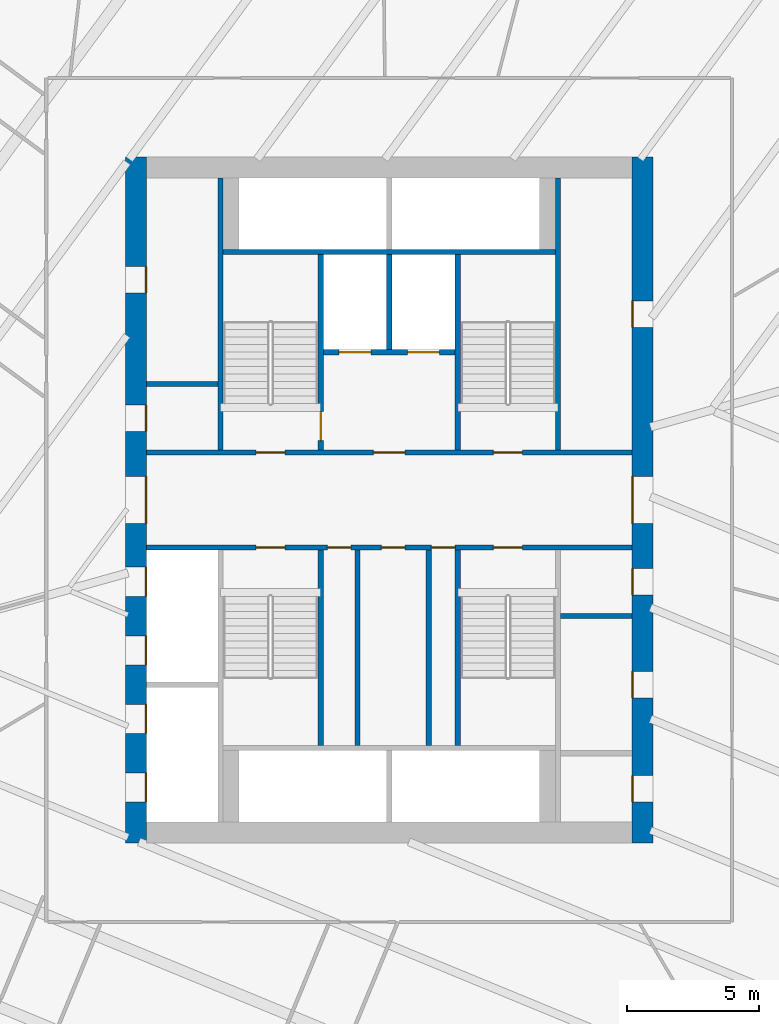
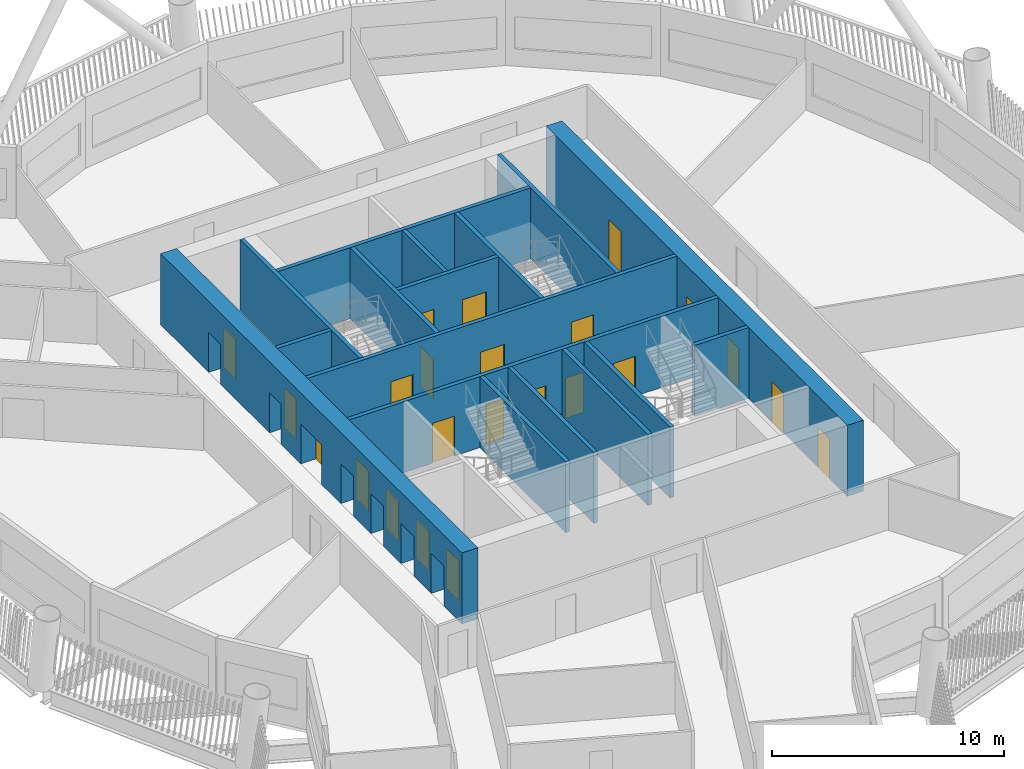
# One storey, part 5 of 23: 23 doors, 17 walls, 23 openings.
"""IFC4 building model written with IfcOpenShell, lengths in metres."""

from ifc_helpers import new_model, si_unit, direction, frame, frame_2d, origin, place, context, subcontext, project, spatial, rectangle, extrude, material, layer, layer_set, type_object, element, fill, save


model = new_model("IFC4")

# Units and contexts
model_context = context("Model", 3, precision=1e-05, world=origin(), true_north=direction((0.0, 1.0)))
body_context = subcontext(model_context, "Body", "Model", "MODEL_VIEW")
ifc_project = project(units=[si_unit("LENGTHUNIT", "METRE"), si_unit("AREAUNIT", "SQUARE_METRE"), si_unit("VOLUMEUNIT", "CUBIC_METRE"), si_unit("PLANEANGLEUNIT", "RADIAN"), si_unit("MASSUNIT", "GRAM", prefix="KILO")], contexts=[model_context])

# Site, building, storey
site_placement = place(None, origin())
site = spatial("IfcSite", under=ifc_project, at=site_placement, CompositionType="ELEMENT")
building_placement = place(site_placement, origin())
building = spatial("IfcBuilding", under=site, at=building_placement, Name="Tarsis Ring Headquarters", CompositionType="ELEMENT")
storey_placement = place(building_placement, frame((0.0, 0.0, 124.0)))
storey = spatial("IfcBuildingStorey", under=building, at=storey_placement, Name="L28", CompositionType="ELEMENT", Elevation=124.0)

# Walls
ifc_material_1 = material(Name="Blockwork", Category="masonry")
ifc_layer_1 = layer(ifc_material_1, 0.199951171875)
ifc_layer_set_1 = layer_set([ifc_layer_1], Name="Core blockwork wall 200")
wall_type_1 = type_object("IfcWallType", Name="Core blockwork wall 200", PredefinedType="PARTITIONING", material=ifc_layer_set_1)
for number, where, z_axis, x_axis, name in (
    (1, (-9.199951171875, 4.39990234375, 0.0), (0.0, 0.0, 1.0), (1.0, 0.0, 0.0), "Core partition WD5"),
    (2, (6.5, -4.39990234375, 0.0), (0.0, 0.0, 1.0), (1.0, 0.0, 0.0), "Core partition ED3"),
):
    element("IfcWall", number, at=place(storey_placement, frame(where, z_axis=z_axis, x_axis=x_axis)), inside=storey, type_object=wall_type_1, Name=name, PredefinedType="PARTITIONING", context=body_context, shape_type="SweptSolid", body=[
        extrude(rectangle(XDim=2.699951171875, YDim=0.199951171875, at=frame_2d((1.35009765625, 0.0))), origin(), (0.0, 0.0, 1.0), 3.739990234375),
    ])
for number, where, z_axis, x_axis, name in (
    (3, (-1.199951171875, -9.300048828125, 0.0), (0.0, 0.0, 1.0), (0.0, 1.0, 0.0), "Core partition SV1"),
    (4, (1.5, -9.300048828125, 0.0), (0.0, 0.0, 1.0), (0.0, 1.0, 0.0), "Core partition SV2"),
):
    element("IfcWall", number, at=place(storey_placement, frame(where, z_axis=z_axis, x_axis=x_axis)), inside=storey, type_object=wall_type_1, Name=name, PredefinedType="PARTITIONING", context=body_context, shape_type="SweptSolid", body=[
        extrude(rectangle(XDim=7.400146484375, YDim=0.199951171875, at=frame_2d((3.7001953125, 0.0))), origin(), (0.0, 0.0, 1.0), 3.739990234375),
    ])

# Wall, openings, doors
ifc_material_2 = material(Name="Concrete C60/75", Category="concrete")
ifc_layer_2 = layer(ifc_material_2, 0.800048828125)
ifc_layer_set_2 = layer_set([ifc_layer_2], Name="Core wall 800 C60/75")
wall_type_2 = type_object("IfcWallType", Name="Core wall 800 C60/75", PredefinedType="SHEAR", material=ifc_layer_set_2)
wall_1_placement = place(storey_placement, frame((-9.60009765625, -13.0, 0.0), z_axis=(0.0, 0.0, 1.0), x_axis=(0.0, 1.0, 0.0)))
wall_1 = element("IfcWall", 5, at=wall_1_placement, inside=storey, type_object=wall_type_2, Name="Core wall OW", PredefinedType="SHEAR", context=body_context, shape_type="SweptSolid", body=[
    extrude(rectangle(XDim=26.0, YDim=0.800048828125, at=frame_2d((13.0, 0.0))), origin(), (0.0, 0.0, 1.0), 3.739990234375),
])
opening_1_placement = place(wall_1_placement, frame((1.550048828125, 0.0, 0.0)))
opening_1 = element("IfcOpeningElement", 6, at=opening_1_placement, cuts=wall_1, Name="Opening LD-LR1", PredefinedType="OPENING", context=body_context, shape_type="SweptSolid", body=[
    extrude(rectangle(XDim=1.10009765625, YDim=2.10009765625, at=frame_2d((0.550048828125, 1.050048828125))), frame((0.0, 0.409912109375, 0.0), z_axis=(0.0, -1.0, 0.0), x_axis=(1.0, 0.0, 0.0)), (0.0, 0.0, 1.0), 0.820068359375),
])
opening_2_placement = place(wall_1_placement, frame((4.14990234375, 0.0, 0.0)))
opening_2 = element("IfcOpeningElement", 7, at=opening_2_placement, cuts=wall_1, Name="Opening LD-LR2", PredefinedType="OPENING", context=body_context, shape_type="SweptSolid", body=[
    extrude(rectangle(XDim=1.10009765625, YDim=2.10009765625, at=frame_2d((0.550048828125, 1.050048828125))), frame((0.0, 0.409912109375, 0.0), z_axis=(0.0, -1.0, 0.0), x_axis=(1.0, 0.0, 0.0)), (0.0, 0.0, 1.0), 0.820068359375),
])
opening_3_placement = place(wall_1_placement, frame((6.75, 0.0, 0.0)))
opening_3 = element("IfcOpeningElement", 8, at=opening_3_placement, cuts=wall_1, Name="Opening LD-LR3", PredefinedType="OPENING", context=body_context, shape_type="SweptSolid", body=[
    extrude(rectangle(XDim=1.10009765625, YDim=2.10009765625, at=frame_2d((0.550048828125, 1.050048828125))), frame((0.0, 0.409912109375, 0.0), z_axis=(0.0, -1.0, 0.0), x_axis=(1.0, 0.0, 0.0)), (0.0, 0.0, 1.0), 0.820068359375),
])
opening_4_placement = place(wall_1_placement, frame((9.35009765625, 0.0, 0.0)))
opening_4 = element("IfcOpeningElement", 9, at=opening_4_placement, cuts=wall_1, Name="Opening LD-LR4", PredefinedType="OPENING", context=body_context, shape_type="SweptSolid", body=[
    extrude(rectangle(XDim=1.10009765625, YDim=2.10009765625, at=frame_2d((0.550048828125, 1.050048828125))), frame((0.0, 0.409912109375, 0.0), z_axis=(0.0, -1.0, 0.0), x_axis=(1.0, 0.0, 0.0)), (0.0, 0.0, 1.0), 0.820068359375),
])
opening_5_placement = place(wall_1_placement, frame((12.10009765625, 0.0, 0.0)))
opening_5 = element("IfcOpeningElement", 10, at=opening_5_placement, cuts=wall_1, Name="Opening L28-C05", PredefinedType="OPENING", context=body_context, shape_type="SweptSolid", body=[
    extrude(rectangle(XDim=1.800048828125, YDim=2.10009765625, at=frame_2d((0.89990234375, 1.050048828125))), frame((0.0, 0.409912109375, 0.0), z_axis=(0.0, -1.0, 0.0), x_axis=(1.0, 0.0, 0.0)), (0.0, 0.0, 1.0), 0.820068359375),
])
opening_6_placement = place(wall_1_placement, frame((15.60009765625, 0.0, 0.0)))
opening_6 = element("IfcOpeningElement", 11, at=opening_6_placement, cuts=wall_1, Name="Opening L28-C06", PredefinedType="OPENING", context=body_context, shape_type="SweptSolid", body=[
    extrude(rectangle(XDim=1.0, YDim=2.10009765625, at=frame_2d((0.5, 1.050048828125))), frame((0.0, 0.409912109375, 0.0), z_axis=(0.0, -1.0, 0.0), x_axis=(1.0, 0.0, 0.0)), (0.0, 0.0, 1.0), 0.820068359375),
])
opening_7_placement = place(wall_1_placement, frame((20.85009765625, 0.0, 0.0)))
opening_7 = element("IfcOpeningElement", 12, at=opening_7_placement, cuts=wall_1, Name="Opening L28-C07", PredefinedType="OPENING", context=body_context, shape_type="SweptSolid", body=[
    extrude(rectangle(XDim=1.0, YDim=2.10009765625, at=frame_2d((0.5, 1.050048828125))), frame((0.0, 0.409912109375, 0.0), z_axis=(0.0, -1.0, 0.0), x_axis=(1.0, 0.0, 0.0)), (0.0, 0.0, 1.0), 0.820068359375),
])
ifc_material_3 = material(Name="Steel S355", Category="steel")
door_type_1 = type_object("IfcDoorType", Name="Core entry door 1800x2100", OperationType="DOUBLE_DOOR_SINGLE_SWING", PredefinedType="DOOR", material=ifc_material_3)
door_1_placement = place(opening_5_placement, origin())
door_1 = element("IfcDoor", 13, at=door_1_placement, inside=storey, type_object=door_type_1, Name="Core entry door L28", OperationType="DOUBLE_DOOR_SINGLE_SWING", OverallHeight=2.10009765625, OverallWidth=1.800048828125, PredefinedType="DOOR", context=body_context, shape_type="SweptSolid", body=[
    extrude(rectangle(XDim=1.800048828125, YDim=2.10009765625, at=frame_2d((0.89990234375, 1.050048828125))), frame((0.0, -0.35009765625, 0.0), z_axis=(0.0, -1.0, 0.0), x_axis=(1.0, 0.0, 0.0)), (0.0, 0.0, 1.0), 0.050048828125),
])
fill(opening_5, door_1)
door_type_2 = type_object("IfcDoorType", Name="Core room door 1000x2100", OperationType="SINGLE_SWING_LEFT", PredefinedType="DOOR", material=ifc_material_3)
door_2_placement = place(opening_6_placement, origin())
door_2 = element("IfcDoor", 14, at=door_2_placement, inside=storey, type_object=door_type_2, Name="Core room door L28", OperationType="SINGLE_SWING_LEFT", OverallHeight=2.10009765625, OverallWidth=1.0, PredefinedType="DOOR", context=body_context, shape_type="SweptSolid", body=[
    extrude(rectangle(XDim=1.0, YDim=2.10009765625, at=frame_2d((0.5, 1.050048828125))), frame((0.0, -0.35009765625, 0.0), z_axis=(0.0, -1.0, 0.0), x_axis=(1.0, 0.0, 0.0)), (0.0, 0.0, 1.0), 0.050048828125),
])
fill(opening_6, door_2)
door_3_placement = place(opening_7_placement, origin())
door_3 = element("IfcDoor", 15, at=door_3_placement, inside=storey, type_object=door_type_2, Name="Core room door L28", OperationType="SINGLE_SWING_LEFT", OverallHeight=2.10009765625, OverallWidth=1.0, PredefinedType="DOOR", context=body_context, shape_type="SweptSolid", body=[
    extrude(rectangle(XDim=1.0, YDim=2.10009765625, at=frame_2d((0.5, 1.050048828125))), frame((0.0, -0.35009765625, 0.0), z_axis=(0.0, -1.0, 0.0), x_axis=(1.0, 0.0, 0.0)), (0.0, 0.0, 1.0), 0.050048828125),
])
fill(opening_7, door_3)
door_type_3 = type_object("IfcDoorType", Name="Landing door 1100x2100", OperationType="SLIDING_TO_LEFT", PredefinedType="DOOR", material=ifc_material_3)
door_4_placement = place(opening_1_placement, origin())
door_4 = element("IfcDoor", 16, at=door_4_placement, inside=storey, type_object=door_type_3, Name="Landing door LR1 L28", OperationType="SLIDING_TO_LEFT", OverallHeight=2.10009765625, OverallWidth=1.10009765625, PredefinedType="DOOR", context=body_context, shape_type="SweptSolid", body=[
    extrude(rectangle(XDim=1.10009765625, YDim=2.10009765625, at=frame_2d((0.550048828125, 1.050048828125))), frame((0.0, -0.35009765625, 0.0), z_axis=(0.0, -1.0, 0.0), x_axis=(1.0, 0.0, 0.0)), (0.0, 0.0, 1.0), 0.050048828125),
])
fill(opening_1, door_4)
door_5_placement = place(opening_2_placement, origin())
door_5 = element("IfcDoor", 17, at=door_5_placement, inside=storey, type_object=door_type_3, Name="Landing door LR2 L28", OperationType="SLIDING_TO_LEFT", OverallHeight=2.10009765625, OverallWidth=1.10009765625, PredefinedType="DOOR", context=body_context, shape_type="SweptSolid", body=[
    extrude(rectangle(XDim=1.10009765625, YDim=2.10009765625, at=frame_2d((0.550048828125, 1.050048828125))), frame((0.0, -0.35009765625, 0.0), z_axis=(0.0, -1.0, 0.0), x_axis=(1.0, 0.0, 0.0)), (0.0, 0.0, 1.0), 0.050048828125),
])
fill(opening_2, door_5)
door_6_placement = place(opening_3_placement, origin())
door_6 = element("IfcDoor", 18, at=door_6_placement, inside=storey, type_object=door_type_3, Name="Landing door LR3 L28", OperationType="SLIDING_TO_LEFT", OverallHeight=2.10009765625, OverallWidth=1.10009765625, PredefinedType="DOOR", context=body_context, shape_type="SweptSolid", body=[
    extrude(rectangle(XDim=1.10009765625, YDim=2.10009765625, at=frame_2d((0.550048828125, 1.050048828125))), frame((0.0, -0.35009765625, 0.0), z_axis=(0.0, -1.0, 0.0), x_axis=(1.0, 0.0, 0.0)), (0.0, 0.0, 1.0), 0.050048828125),
])
fill(opening_3, door_6)
door_7_placement = place(opening_4_placement, origin())
door_7 = element("IfcDoor", 19, at=door_7_placement, inside=storey, type_object=door_type_3, Name="Landing door LR4 L28", OperationType="SLIDING_TO_LEFT", OverallHeight=2.10009765625, OverallWidth=1.10009765625, PredefinedType="DOOR", context=body_context, shape_type="SweptSolid", body=[
    extrude(rectangle(XDim=1.10009765625, YDim=2.10009765625, at=frame_2d((0.550048828125, 1.050048828125))), frame((0.0, -0.35009765625, 0.0), z_axis=(0.0, -1.0, 0.0), x_axis=(1.0, 0.0, 0.0)), (0.0, 0.0, 1.0), 0.050048828125),
])
fill(opening_4, door_7)

wall_2_placement = place(storey_placement, frame((9.60009765625, -13.0, 0.0), z_axis=(0.0, 0.0, 1.0), x_axis=(0.0, 1.0, 0.0)))
wall_2 = element("IfcWall", 20, at=wall_2_placement, inside=storey, type_object=wall_type_2, Name="Core wall OE", PredefinedType="SHEAR", context=body_context, shape_type="SweptSolid", body=[
    extrude(rectangle(XDim=26.0, YDim=0.800048828125, at=frame_2d((13.0, 0.0))), origin(), (0.0, 0.0, 1.0), 3.739990234375),
])
opening_8_placement = place(wall_2_placement, frame((1.550048828125, 0.0, 0.0)))
opening_8 = element("IfcOpeningElement", 21, at=opening_8_placement, cuts=wall_2, Name="Opening L28-C08", PredefinedType="OPENING", context=body_context, shape_type="SweptSolid", body=[
    extrude(rectangle(XDim=1.0, YDim=2.10009765625, at=frame_2d((0.5, 1.050048828125))), frame((0.0, 0.409912109375, 0.0), z_axis=(0.0, -1.0, 0.0), x_axis=(1.0, 0.0, 0.0)), (0.0, 0.0, 1.0), 0.820068359375),
])
opening_9_placement = place(wall_2_placement, frame((5.5, 0.0, 0.0)))
opening_9 = element("IfcOpeningElement", 22, at=opening_9_placement, cuts=wall_2, Name="Opening L28-C09", PredefinedType="OPENING", context=body_context, shape_type="SweptSolid", body=[
    extrude(rectangle(XDim=1.0, YDim=2.10009765625, at=frame_2d((0.5, 1.050048828125))), frame((0.0, 0.409912109375, 0.0), z_axis=(0.0, -1.0, 0.0), x_axis=(1.0, 0.0, 0.0)), (0.0, 0.0, 1.0), 0.820068359375),
])
opening_10_placement = place(wall_2_placement, frame((9.39990234375, 0.0, 0.0)))
opening_10 = element("IfcOpeningElement", 23, at=opening_10_placement, cuts=wall_2, Name="Opening L28-C10", PredefinedType="OPENING", context=body_context, shape_type="SweptSolid", body=[
    extrude(rectangle(XDim=1.0, YDim=2.10009765625, at=frame_2d((0.5, 1.050048828125))), frame((0.0, 0.409912109375, 0.0), z_axis=(0.0, -1.0, 0.0), x_axis=(1.0, 0.0, 0.0)), (0.0, 0.0, 1.0), 0.820068359375),
])
opening_11_placement = place(wall_2_placement, frame((12.10009765625, 0.0, 0.0)))
opening_11 = element("IfcOpeningElement", 24, at=opening_11_placement, cuts=wall_2, Name="Opening L28-C11", PredefinedType="OPENING", context=body_context, shape_type="SweptSolid", body=[
    extrude(rectangle(XDim=1.800048828125, YDim=2.10009765625, at=frame_2d((0.89990234375, 1.050048828125))), frame((0.0, 0.409912109375, 0.0), z_axis=(0.0, -1.0, 0.0), x_axis=(1.0, 0.0, 0.0)), (0.0, 0.0, 1.0), 0.820068359375),
])
opening_12_placement = place(wall_2_placement, frame((19.550048828125, 0.0, 0.0)))
opening_12 = element("IfcOpeningElement", 25, at=opening_12_placement, cuts=wall_2, Name="Opening L28-C12", PredefinedType="OPENING", context=body_context, shape_type="SweptSolid", body=[
    extrude(rectangle(XDim=1.0, YDim=2.10009765625, at=frame_2d((0.5, 1.050048828125))), frame((0.0, 0.409912109375, 0.0), z_axis=(0.0, -1.0, 0.0), x_axis=(1.0, 0.0, 0.0)), (0.0, 0.0, 1.0), 0.820068359375),
])
door_8_placement = place(opening_11_placement, origin())
door_8 = element("IfcDoor", 26, at=door_8_placement, inside=storey, type_object=door_type_1, Name="Core entry door L28", OperationType="DOUBLE_DOOR_SINGLE_SWING", OverallHeight=2.10009765625, OverallWidth=1.800048828125, PredefinedType="DOOR", context=body_context, shape_type="SweptSolid", body=[
    extrude(rectangle(XDim=1.800048828125, YDim=2.10009765625, at=frame_2d((0.89990234375, 1.050048828125))), frame((0.0, 0.39990234375, 0.0), z_axis=(0.0, -1.0, 0.0), x_axis=(1.0, 0.0, 0.0)), (0.0, 0.0, 1.0), 0.050048828125),
])
fill(opening_11, door_8)
door_9_placement = place(opening_8_placement, origin())
door_9 = element("IfcDoor", 27, at=door_9_placement, inside=storey, type_object=door_type_2, Name="Core room door L28", OperationType="SINGLE_SWING_LEFT", OverallHeight=2.10009765625, OverallWidth=1.0, PredefinedType="DOOR", context=body_context, shape_type="SweptSolid", body=[
    extrude(rectangle(XDim=1.0, YDim=2.10009765625, at=frame_2d((0.5, 1.050048828125))), frame((0.0, 0.39990234375, 0.0), z_axis=(0.0, -1.0, 0.0), x_axis=(1.0, 0.0, 0.0)), (0.0, 0.0, 1.0), 0.050048828125),
])
fill(opening_8, door_9)
door_10_placement = place(opening_9_placement, origin())
door_10 = element("IfcDoor", 28, at=door_10_placement, inside=storey, type_object=door_type_2, Name="Core room door L28", OperationType="SINGLE_SWING_LEFT", OverallHeight=2.10009765625, OverallWidth=1.0, PredefinedType="DOOR", context=body_context, shape_type="SweptSolid", body=[
    extrude(rectangle(XDim=1.0, YDim=2.10009765625, at=frame_2d((0.5, 1.050048828125))), frame((0.0, 0.39990234375, 0.0), z_axis=(0.0, -1.0, 0.0), x_axis=(1.0, 0.0, 0.0)), (0.0, 0.0, 1.0), 0.050048828125),
])
fill(opening_9, door_10)
door_11_placement = place(opening_10_placement, origin())
door_11 = element("IfcDoor", 29, at=door_11_placement, inside=storey, type_object=door_type_2, Name="Core room door L28", OperationType="SINGLE_SWING_LEFT", OverallHeight=2.10009765625, OverallWidth=1.0, PredefinedType="DOOR", context=body_context, shape_type="SweptSolid", body=[
    extrude(rectangle(XDim=1.0, YDim=2.10009765625, at=frame_2d((0.5, 1.050048828125))), frame((0.0, 0.39990234375, 0.0), z_axis=(0.0, -1.0, 0.0), x_axis=(1.0, 0.0, 0.0)), (0.0, 0.0, 1.0), 0.050048828125),
])
fill(opening_10, door_11)
door_12_placement = place(opening_12_placement, origin())
door_12 = element("IfcDoor", 30, at=door_12_placement, inside=storey, type_object=door_type_2, Name="Core room door L28", OperationType="SINGLE_SWING_LEFT", OverallHeight=2.10009765625, OverallWidth=1.0, PredefinedType="DOOR", context=body_context, shape_type="SweptSolid", body=[
    extrude(rectangle(XDim=1.0, YDim=2.10009765625, at=frame_2d((0.5, 1.050048828125))), frame((0.0, 0.39990234375, 0.0), z_axis=(0.0, -1.0, 0.0), x_axis=(1.0, 0.0, 0.0)), (0.0, 0.0, 1.0), 0.050048828125),
])
fill(opening_12, door_12)

ifc_material_4 = material(Name="Concrete C32/40", Category="concrete")
ifc_layer_3 = layer(ifc_material_4, 0.199951171875)
ifc_layer_set_3 = layer_set([ifc_layer_3], Name="Shaft wall 200 C32/40")
wall_type_3 = type_object("IfcWallType", Name="Shaft wall 200 C32/40", PredefinedType="SOLIDWALL", material=ifc_layer_set_3)
wall_3_placement = place(storey_placement, frame((-9.199951171875, 1.800048828125, 0.0), z_axis=(0.0, 0.0, 1.0), x_axis=(1.0, 0.0, 0.0)))
wall_3 = element("IfcWall", 31, at=wall_3_placement, inside=storey, type_object=wall_type_3, Name="Core shaft wall CN", PredefinedType="SOLIDWALL", context=body_context, shape_type="SweptSolid", body=[
    extrude(rectangle(XDim=18.39990234375, YDim=0.199951171875, at=frame_2d((9.199951171875, 0.0))), origin(), (0.0, 0.0, 1.0), 3.739990234375),
])
opening_13_placement = place(wall_3_placement, frame((4.14990234375, 0.0, 0.0)))
opening_13 = element("IfcOpeningElement", 32, at=opening_13_placement, cuts=wall_3, Name="Opening L28-C13", PredefinedType="OPENING", context=body_context, shape_type="SweptSolid", body=[
    extrude(rectangle(XDim=1.10009765625, YDim=2.10009765625, at=frame_2d((0.550048828125, 1.050048828125))), frame((0.0, 0.10986328125, 0.0), z_axis=(0.0, -1.0, 0.0), x_axis=(1.0, 0.0, 0.0)), (0.0, 0.0, 1.0), 0.219970703125),
])
opening_14_placement = place(wall_3_placement, frame((8.60009765625, 0.0, 0.0)))
opening_14 = element("IfcOpeningElement", 33, at=opening_14_placement, cuts=wall_3, Name="Opening L28-C14", PredefinedType="OPENING", context=body_context, shape_type="SweptSolid", body=[
    extrude(rectangle(XDim=1.199951171875, YDim=2.10009765625, at=frame_2d((0.60009765625, 1.050048828125))), frame((0.0, 0.10986328125, 0.0), z_axis=(0.0, -1.0, 0.0), x_axis=(1.0, 0.0, 0.0)), (0.0, 0.0, 1.0), 0.219970703125),
])
opening_15_placement = place(wall_3_placement, frame((13.14990234375, 0.0, 0.0)))
opening_15 = element("IfcOpeningElement", 34, at=opening_15_placement, cuts=wall_3, Name="Opening L28-C15", PredefinedType="OPENING", context=body_context, shape_type="SweptSolid", body=[
    extrude(rectangle(XDim=1.10009765625, YDim=2.10009765625, at=frame_2d((0.550048828125, 1.050048828125))), frame((0.0, 0.10986328125, 0.0), z_axis=(0.0, -1.0, 0.0), x_axis=(1.0, 0.0, 0.0)), (0.0, 0.0, 1.0), 0.219970703125),
])
door_type_4 = type_object("IfcDoorType", Name="Firefighting lobby door 1200x2100", OperationType="DOUBLE_DOOR_SINGLE_SWING", PredefinedType="DOOR", material=ifc_material_3)
door_13_placement = place(opening_14_placement, origin())
door_13 = element("IfcDoor", 35, at=door_13_placement, inside=storey, type_object=door_type_4, Name="Firefighting lobby door L28", OperationType="DOUBLE_DOOR_SINGLE_SWING", OverallHeight=2.10009765625, OverallWidth=1.199951171875, PredefinedType="DOOR", context=body_context, shape_type="SweptSolid", body=[
    extrude(rectangle(XDim=1.199951171875, YDim=2.10009765625, at=frame_2d((0.60009765625, 1.050048828125))), frame((0.0, 0.02490234375, 0.0), z_axis=(0.0, -1.0, 0.0), x_axis=(1.0, 0.0, 0.0)), (0.0, 0.0, 1.0), 0.050048828125),
])
fill(opening_14, door_13)
door_type_5 = type_object("IfcDoorType", Name="Stair door 1100x2100", OperationType="SINGLE_SWING_LEFT", PredefinedType="DOOR", material=ifc_material_3)
door_14_placement = place(opening_13_placement, origin())
door_14 = element("IfcDoor", 36, at=door_14_placement, inside=storey, type_object=door_type_5, Name="Stair door L28", OperationType="SINGLE_SWING_LEFT", OverallHeight=2.10009765625, OverallWidth=1.10009765625, PredefinedType="DOOR", context=body_context, shape_type="SweptSolid", body=[
    extrude(rectangle(XDim=1.10009765625, YDim=2.10009765625, at=frame_2d((0.550048828125, 1.050048828125))), frame((0.0, 0.02490234375, 0.0), z_axis=(0.0, -1.0, 0.0), x_axis=(1.0, 0.0, 0.0)), (0.0, 0.0, 1.0), 0.050048828125),
])
fill(opening_13, door_14)
door_15_placement = place(opening_15_placement, origin())
door_15 = element("IfcDoor", 37, at=door_15_placement, inside=storey, type_object=door_type_5, Name="Stair door L28", OperationType="SINGLE_SWING_LEFT", OverallHeight=2.10009765625, OverallWidth=1.10009765625, PredefinedType="DOOR", context=body_context, shape_type="SweptSolid", body=[
    extrude(rectangle(XDim=1.10009765625, YDim=2.10009765625, at=frame_2d((0.550048828125, 1.050048828125))), frame((0.0, 0.02490234375, 0.0), z_axis=(0.0, -1.0, 0.0), x_axis=(1.0, 0.0, 0.0)), (0.0, 0.0, 1.0), 0.050048828125),
])
fill(opening_15, door_15)

wall_4_placement = place(storey_placement, frame((-9.199951171875, -1.800048828125, 0.0), z_axis=(0.0, 0.0, 1.0), x_axis=(1.0, 0.0, 0.0)))
wall_4 = element("IfcWall", 38, at=wall_4_placement, inside=storey, type_object=wall_type_3, Name="Core shaft wall CS", PredefinedType="SOLIDWALL", context=body_context, shape_type="SweptSolid", body=[
    extrude(rectangle(XDim=18.39990234375, YDim=0.199951171875, at=frame_2d((9.199951171875, 0.0))), origin(), (0.0, 0.0, 1.0), 3.739990234375),
])
opening_16_placement = place(wall_4_placement, frame((4.14990234375, 0.0, 0.0)))
opening_16 = element("IfcOpeningElement", 39, at=opening_16_placement, cuts=wall_4, Name="Opening L28-C16", PredefinedType="OPENING", context=body_context, shape_type="SweptSolid", body=[
    extrude(rectangle(XDim=1.10009765625, YDim=2.10009765625, at=frame_2d((0.550048828125, 1.050048828125))), frame((0.0, 0.10986328125, 0.0), z_axis=(0.0, -1.0, 0.0), x_axis=(1.0, 0.0, 0.0)), (0.0, 0.0, 1.0), 0.219970703125),
])
opening_17_placement = place(wall_4_placement, frame((6.85009765625, 0.0, 0.0)))
opening_17 = element("IfcOpeningElement", 40, at=opening_17_placement, cuts=wall_4, Name="Opening L28-C17", PredefinedType="OPENING", context=body_context, shape_type="SweptSolid", body=[
    extrude(rectangle(XDim=0.89990234375, YDim=2.10009765625, at=frame_2d((0.449951171875, 1.050048828125))), frame((0.0, 0.10986328125, 0.0), z_axis=(0.0, -1.0, 0.0), x_axis=(1.0, 0.0, 0.0)), (0.0, 0.0, 1.0), 0.219970703125),
])
opening_18_placement = place(wall_4_placement, frame((8.89990234375, 0.0, 0.0)))
opening_18 = element("IfcOpeningElement", 41, at=opening_18_placement, cuts=wall_4, Name="Opening L28-C18", PredefinedType="OPENING", context=body_context, shape_type="SweptSolid", body=[
    extrude(rectangle(XDim=0.89990234375, YDim=2.10009765625, at=frame_2d((0.449951171875, 1.050048828125))), frame((0.0, 0.10986328125, 0.0), z_axis=(0.0, -1.0, 0.0), x_axis=(1.0, 0.0, 0.0)), (0.0, 0.0, 1.0), 0.219970703125),
])
opening_19_placement = place(wall_4_placement, frame((10.800048828125, 0.0, 0.0)))
opening_19 = element("IfcOpeningElement", 42, at=opening_19_placement, cuts=wall_4, Name="Opening L28-C19", PredefinedType="OPENING", context=body_context, shape_type="SweptSolid", body=[
    extrude(rectangle(XDim=0.89990234375, YDim=2.10009765625, at=frame_2d((0.449951171875, 1.050048828125))), frame((0.0, 0.10986328125, 0.0), z_axis=(0.0, -1.0, 0.0), x_axis=(1.0, 0.0, 0.0)), (0.0, 0.0, 1.0), 0.219970703125),
])
opening_20_placement = place(wall_4_placement, frame((13.14990234375, 0.0, 0.0)))
opening_20 = element("IfcOpeningElement", 43, at=opening_20_placement, cuts=wall_4, Name="Opening L28-C20", PredefinedType="OPENING", context=body_context, shape_type="SweptSolid", body=[
    extrude(rectangle(XDim=1.10009765625, YDim=2.10009765625, at=frame_2d((0.550048828125, 1.050048828125))), frame((0.0, 0.10986328125, 0.0), z_axis=(0.0, -1.0, 0.0), x_axis=(1.0, 0.0, 0.0)), (0.0, 0.0, 1.0), 0.219970703125),
])
door_16_placement = place(opening_16_placement, origin())
door_16 = element("IfcDoor", 44, at=door_16_placement, inside=storey, type_object=door_type_5, Name="Stair door L28", OperationType="SINGLE_SWING_LEFT", OverallHeight=2.10009765625, OverallWidth=1.10009765625, PredefinedType="DOOR", context=body_context, shape_type="SweptSolid", body=[
    extrude(rectangle(XDim=1.10009765625, YDim=2.10009765625, at=frame_2d((0.550048828125, 1.050048828125))), frame((0.0, 0.02490234375, 0.0), z_axis=(0.0, -1.0, 0.0), x_axis=(1.0, 0.0, 0.0)), (0.0, 0.0, 1.0), 0.050048828125),
])
fill(opening_16, door_16)
door_17_placement = place(opening_20_placement, origin())
door_17 = element("IfcDoor", 45, at=door_17_placement, inside=storey, type_object=door_type_5, Name="Stair door L28", OperationType="SINGLE_SWING_LEFT", OverallHeight=2.10009765625, OverallWidth=1.10009765625, PredefinedType="DOOR", context=body_context, shape_type="SweptSolid", body=[
    extrude(rectangle(XDim=1.10009765625, YDim=2.10009765625, at=frame_2d((0.550048828125, 1.050048828125))), frame((0.0, 0.02490234375, 0.0), z_axis=(0.0, -1.0, 0.0), x_axis=(1.0, 0.0, 0.0)), (0.0, 0.0, 1.0), 0.050048828125),
])
fill(opening_20, door_17)
door_type_6 = type_object("IfcDoorType", Name="WC door 900x2100", OperationType="SINGLE_SWING_LEFT", PredefinedType="DOOR", material=ifc_material_3)
door_18_placement = place(opening_17_placement, origin())
door_18 = element("IfcDoor", 46, at=door_18_placement, inside=storey, type_object=door_type_6, Name="WC door L28", OperationType="SINGLE_SWING_LEFT", OverallHeight=2.10009765625, OverallWidth=0.89990234375, PredefinedType="DOOR", context=body_context, shape_type="SweptSolid", body=[
    extrude(rectangle(XDim=0.89990234375, YDim=2.10009765625, at=frame_2d((0.449951171875, 1.050048828125))), frame((0.0, 0.02490234375, 0.0), z_axis=(0.0, -1.0, 0.0), x_axis=(1.0, 0.0, 0.0)), (0.0, 0.0, 1.0), 0.050048828125),
])
fill(opening_17, door_18)
door_19_placement = place(opening_18_placement, origin())
door_19 = element("IfcDoor", 47, at=door_19_placement, inside=storey, type_object=door_type_6, Name="WC door L28", OperationType="SINGLE_SWING_LEFT", OverallHeight=2.10009765625, OverallWidth=0.89990234375, PredefinedType="DOOR", context=body_context, shape_type="SweptSolid", body=[
    extrude(rectangle(XDim=0.89990234375, YDim=2.10009765625, at=frame_2d((0.449951171875, 1.050048828125))), frame((0.0, 0.02490234375, 0.0), z_axis=(0.0, -1.0, 0.0), x_axis=(1.0, 0.0, 0.0)), (0.0, 0.0, 1.0), 0.050048828125),
])
fill(opening_18, door_19)
door_20_placement = place(opening_19_placement, origin())
door_20 = element("IfcDoor", 48, at=door_20_placement, inside=storey, type_object=door_type_6, Name="WC door L28", OperationType="SINGLE_SWING_LEFT", OverallHeight=2.10009765625, OverallWidth=0.89990234375, PredefinedType="DOOR", context=body_context, shape_type="SweptSolid", body=[
    extrude(rectangle(XDim=0.89990234375, YDim=2.10009765625, at=frame_2d((0.449951171875, 1.050048828125))), frame((0.0, 0.02490234375, 0.0), z_axis=(0.0, -1.0, 0.0), x_axis=(1.0, 0.0, 0.0)), (0.0, 0.0, 1.0), 0.050048828125),
])
fill(opening_19, door_20)

# Walls
for number, where, z_axis, x_axis, name in (
    (49, (-6.39990234375, 1.89990234375, 0.0), (0.0, 0.0, 1.0), (0.0, 1.0, 0.0), "Core shaft wall WB2"),
    (50, (6.39990234375, 1.89990234375, 0.0), (0.0, 0.0, 1.0), (0.0, 1.0, 0.0), "Core shaft wall EB2"),
):
    element("IfcWall", number, at=place(storey_placement, frame(where, z_axis=z_axis, x_axis=x_axis)), inside=storey, type_object=wall_type_3, Name=name, PredefinedType="SOLIDWALL", context=body_context, shape_type="SweptSolid", body=[
        extrude(rectangle(XDim=10.300048828125, YDim=0.199951171875, at=frame_2d((5.14990234375, 0.0))), origin(), (0.0, 0.0, 1.0), 3.739990234375),
    ])
wall_5_placement = place(storey_placement, frame((-6.300048828125, 9.39990234375, 0.0), z_axis=(0.0, 0.0, 1.0), x_axis=(1.0, 0.0, 0.0)))
element("IfcWall", 51, at=wall_5_placement, inside=storey, type_object=wall_type_3, Name="Core shaft wall NB", PredefinedType="SOLIDWALL", context=body_context, shape_type="SweptSolid", body=[
    extrude(rectangle(XDim=12.60009765625, YDim=0.199951171875, at=frame_2d((6.300048828125, 0.0))), origin(), (0.0, 0.0, 1.0), 3.739990234375),
])

# Wall, opening, door
wall_6_placement = place(storey_placement, frame((-2.60009765625, 1.89990234375, 0.0), z_axis=(0.0, 0.0, 1.0), x_axis=(0.0, 1.0, 0.0)))
wall_6 = element("IfcWall", 52, at=wall_6_placement, inside=storey, type_object=wall_type_3, Name="Core shaft wall SW1", PredefinedType="SOLIDWALL", context=body_context, shape_type="SweptSolid", body=[
    extrude(rectangle(XDim=7.400146484375, YDim=0.199951171875, at=frame_2d((3.7001953125, 0.0))), origin(), (0.0, 0.0, 1.0), 3.739990234375),
])
opening_21_placement = place(wall_6_placement, frame((0.35009765625, 0.0, 0.0)))
opening_21 = element("IfcOpeningElement", 53, at=opening_21_placement, cuts=wall_6, Name="Opening L28-C21", PredefinedType="OPENING", context=body_context, shape_type="SweptSolid", body=[
    extrude(rectangle(XDim=1.10009765625, YDim=2.10009765625, at=frame_2d((0.550048828125, 1.050048828125))), frame((0.0, 0.10986328125, 0.0), z_axis=(0.0, -1.0, 0.0), x_axis=(1.0, 0.0, 0.0)), (0.0, 0.0, 1.0), 0.219970703125),
])
door_21_placement = place(opening_21_placement, origin())
door_21 = element("IfcDoor", 54, at=door_21_placement, inside=storey, type_object=door_type_5, Name="Stair door L28", OperationType="SINGLE_SWING_LEFT", OverallHeight=2.10009765625, OverallWidth=1.10009765625, PredefinedType="DOOR", context=body_context, shape_type="SweptSolid", body=[
    extrude(rectangle(XDim=1.10009765625, YDim=2.10009765625, at=frame_2d((0.550048828125, 1.050048828125))), frame((0.0, 0.02490234375, 0.0), z_axis=(0.0, -1.0, 0.0), x_axis=(1.0, 0.0, 0.0)), (0.0, 0.0, 1.0), 0.050048828125),
])
fill(opening_21, door_21)

# Walls
for number, where, z_axis, x_axis, name in (
    (55, (2.60009765625, 1.89990234375, 0.0), (0.0, 0.0, 1.0), (0.0, 1.0, 0.0), "Core shaft wall SW2"),
    (56, (-2.60009765625, -9.300048828125, 0.0), (0.0, 0.0, 1.0), (0.0, 1.0, 0.0), "Core shaft wall SW3"),
    (57, (2.60009765625, -9.300048828125, 0.0), (0.0, 0.0, 1.0), (0.0, 1.0, 0.0), "Core shaft wall SW4"),
):
    element("IfcWall", number, at=place(storey_placement, frame(where, z_axis=z_axis, x_axis=x_axis)), inside=storey, type_object=wall_type_3, Name=name, PredefinedType="SOLIDWALL", context=body_context, shape_type="SweptSolid", body=[
        extrude(rectangle(XDim=7.400146484375, YDim=0.199951171875, at=frame_2d((3.7001953125, 0.0))), origin(), (0.0, 0.0, 1.0), 3.739990234375),
    ])

# Wall, openings, doors
wall_7_placement = place(storey_placement, frame((-2.5, 5.60009765625, 0.0), z_axis=(0.0, 0.0, 1.0), x_axis=(1.0, 0.0, 0.0)))
wall_7 = element("IfcWall", 58, at=wall_7_placement, inside=storey, type_object=wall_type_3, Name="Core shaft wall FFN", PredefinedType="SOLIDWALL", context=body_context, shape_type="SweptSolid", body=[
    extrude(rectangle(XDim=5.0, YDim=0.199951171875, at=frame_2d((2.5, 0.0))), origin(), (0.0, 0.0, 1.0), 3.739990234375),
])
opening_22_placement = place(wall_7_placement, frame((0.60009765625, 0.0, 0.0)))
opening_22 = element("IfcOpeningElement", 59, at=opening_22_placement, cuts=wall_7, Name="Opening LDF-1", PredefinedType="OPENING", context=body_context, shape_type="SweptSolid", body=[
    extrude(rectangle(XDim=1.199951171875, YDim=2.10009765625, at=frame_2d((0.60009765625, 1.050048828125))), frame((0.0, 0.10986328125, 0.0), z_axis=(0.0, -1.0, 0.0), x_axis=(1.0, 0.0, 0.0)), (0.0, 0.0, 1.0), 0.219970703125),
])
opening_23_placement = place(wall_7_placement, frame((3.199951171875, 0.0, 0.0)))
opening_23 = element("IfcOpeningElement", 60, at=opening_23_placement, cuts=wall_7, Name="Opening LDF-2", PredefinedType="OPENING", context=body_context, shape_type="SweptSolid", body=[
    extrude(rectangle(XDim=1.199951171875, YDim=2.10009765625, at=frame_2d((0.60009765625, 1.050048828125))), frame((0.0, 0.10986328125, 0.0), z_axis=(0.0, -1.0, 0.0), x_axis=(1.0, 0.0, 0.0)), (0.0, 0.0, 1.0), 0.219970703125),
])
door_type_7 = type_object("IfcDoorType", Name="Firefighting landing door 1200x2100", OperationType="SLIDING_TO_LEFT", PredefinedType="DOOR", material=ifc_material_3)
door_22_placement = place(opening_22_placement, origin())
door_22 = element("IfcDoor", 61, at=door_22_placement, inside=storey, type_object=door_type_7, Name="Landing door FF1 L28", OperationType="SLIDING_TO_LEFT", OverallHeight=2.10009765625, OverallWidth=1.199951171875, PredefinedType="DOOR", context=body_context, shape_type="SweptSolid", body=[
    extrude(rectangle(XDim=1.199951171875, YDim=2.10009765625, at=frame_2d((0.60009765625, 1.050048828125))), frame((0.0, 0.02490234375, 0.0), z_axis=(0.0, -1.0, 0.0), x_axis=(1.0, 0.0, 0.0)), (0.0, 0.0, 1.0), 0.050048828125),
])
fill(opening_22, door_22)
door_23_placement = place(opening_23_placement, origin())
door_23 = element("IfcDoor", 62, at=door_23_placement, inside=storey, type_object=door_type_7, Name="Landing door FF2 L28", OperationType="SLIDING_TO_LEFT", OverallHeight=2.10009765625, OverallWidth=1.199951171875, PredefinedType="DOOR", context=body_context, shape_type="SweptSolid", body=[
    extrude(rectangle(XDim=1.199951171875, YDim=2.10009765625, at=frame_2d((0.60009765625, 1.050048828125))), frame((0.0, 0.02490234375, 0.0), z_axis=(0.0, -1.0, 0.0), x_axis=(1.0, 0.0, 0.0)), (0.0, 0.0, 1.0), 0.050048828125),
])
fill(opening_23, door_23)

# Wall
wall_8_placement = place(storey_placement, frame((0.0, 5.699951171875, 0.0), z_axis=(0.0, 0.0, 1.0), x_axis=(0.0, 1.0, 0.0)))
element("IfcWall", 63, at=wall_8_placement, inside=storey, type_object=wall_type_3, Name="Core shaft wall FFD", PredefinedType="SOLIDWALL", context=body_context, shape_type="SweptSolid", body=[
    extrude(rectangle(XDim=3.60009765625, YDim=0.199951171875, at=frame_2d((1.800048828125, 0.0))), origin(), (0.0, 0.0, 1.0), 3.739990234375),
])

save(model, "model.ifc")
